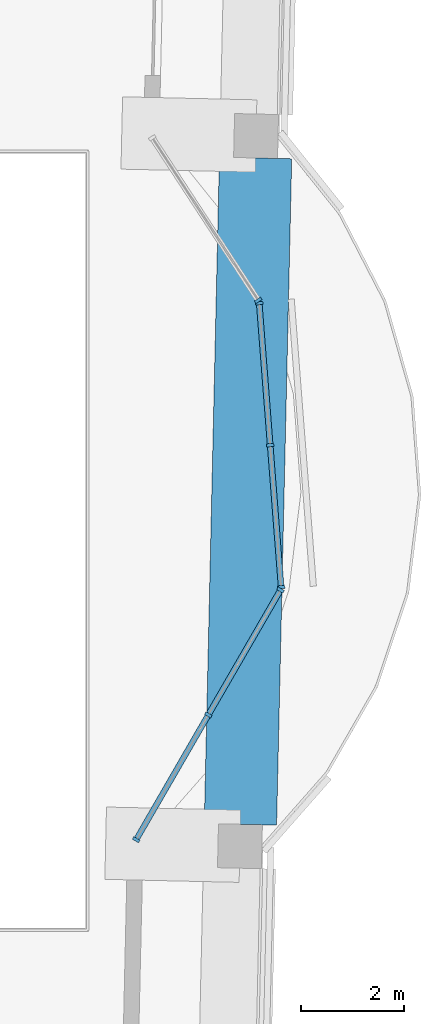
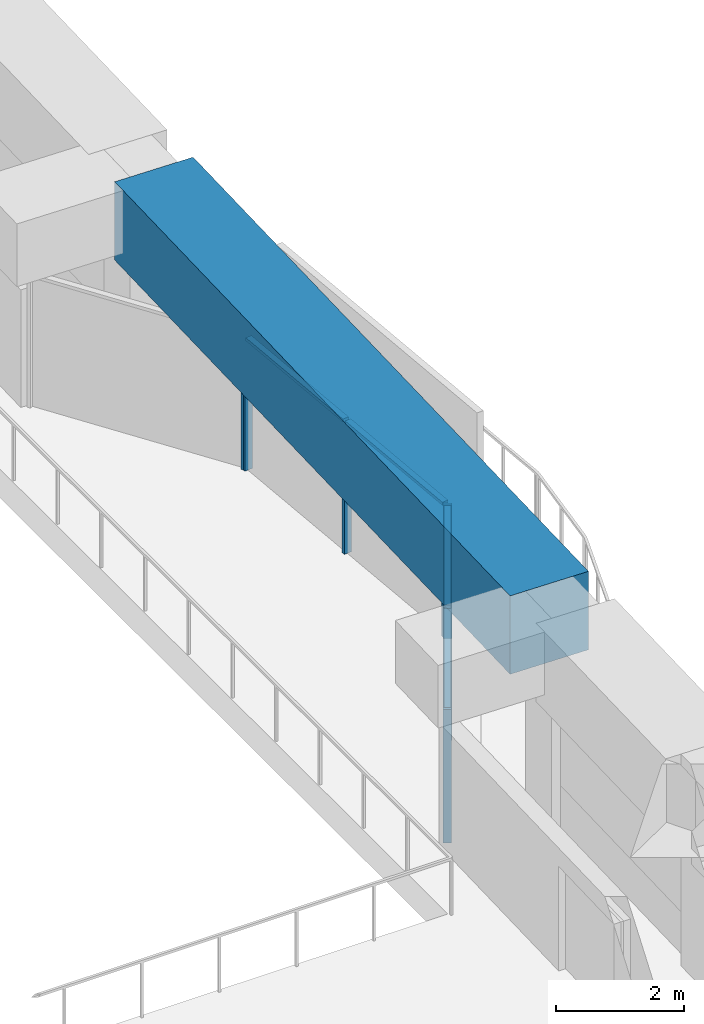
# One storey, part 4 of 21: 11 members, 1 beam, 3 elements without a shape of their own.
"""IFC4 building model written with IfcOpenShell, lengths in metres."""

from ifc_helpers import new_model, si_unit, direction, frame, origin, origin_2d, place, context, subcontext, project, spatial, rectangle, extrude, material, material_profile, profile_set, type_object, element, aggregate, save


model = new_model("IFC4")

# Units and contexts
model_context = context("Model", 3, precision=1e-05, world=origin(), true_north=direction((0.0, 1.0)))
body_context = subcontext(model_context, "Body", "Model", "MODEL_VIEW")
ifc_project = project(units=[si_unit("LENGTHUNIT", "METRE"), si_unit("AREAUNIT", "SQUARE_METRE"), si_unit("VOLUMEUNIT", "CUBIC_METRE"), si_unit("PLANEANGLEUNIT", "RADIAN"), si_unit("MASSUNIT", "GRAM", prefix="KILO")], contexts=[model_context])

# Site, building, storey
site_placement = place(None, origin())
site = spatial("IfcSite", under=ifc_project, at=site_placement, CompositionType="ELEMENT")
building_placement = place(site_placement, origin())
building = spatial("IfcBuilding", under=site, at=building_placement, Name="Mangrove Gate Tower", CompositionType="ELEMENT")
storey_placement = place(building_placement, frame((0.0, 0.0, 329.699951171875)))
storey = spatial("IfcBuildingStorey", under=building, at=storey_placement, Name="L84", CompositionType="ELEMENT", Elevation=329.699951171875)

# Curtain wall, members
ifc_material_1 = material(Name="Aluminium and glass curtain wall", Category="aluminium")
curtain_wall_type = type_object("IfcCurtainWallType", Name="Crown garden glazing wall", PredefinedType="NOTDEFINED", material=ifc_material_1)
curtain_wall_1_placement = place(storey_placement, origin())
curtain_wall_1 = element("IfcCurtainWall", 1, at=curtain_wall_1_placement, inside=storey, type_object=curtain_wall_type, Name="Crown garden glazing E1f1", PredefinedType="NOTDEFINED")
ifc_material_2 = material(Name="Aluminium alloy 6063-T6", Category="aluminium")
ifc_material_profile_1 = material_profile(ifc_material_2, rectangle(XDim=0.06005859375, YDim=0.139892578125, at=origin_2d()))
ifc_profile_set_1 = profile_set([ifc_material_profile_1], Name="Aluminium alloy 6063-T6")
member_type_1 = type_object("IfcMemberType", Name="Crown garden glazing mullion 60x140", PredefinedType="MULLION", material=ifc_profile_set_1)
member_1_placement = place(storey_placement, frame((26.60302734375, -5.7861328125, 0.0), z_axis=(0.0, 0.0, 1.0), x_axis=(0.500418160359, 0.865783844145, 0.0)))
member_1 = element("IfcMember", 2, at=member_1_placement, type_object=member_type_1, Name="CWC mullion 1", PredefinedType="MULLION", context=body_context, shape_type="SweptSolid", body=[
    extrude(rectangle(XDim=0.06005859375, YDim=0.139892578125, at=origin_2d()), origin(), (0.0, 0.0, 1.0), 2.550048828125),
])
member_2_placement = place(storey_placement, frame((27.99951171875, -3.369873046875, 0.0), z_axis=(0.0, 0.0, 1.0), x_axis=(0.500418160359, 0.865783844145, 0.0)))
member_2 = element("IfcMember", 3, at=member_2_placement, type_object=member_type_1, Name="CWC mullion 2", PredefinedType="MULLION", context=body_context, shape_type="SweptSolid", body=[
    extrude(rectangle(XDim=0.06005859375, YDim=0.139892578125, at=origin_2d()), origin(), (0.0, 0.0, 1.0), 2.550048828125),
])
member_3_placement = place(storey_placement, frame((29.396240234375, -0.95361328125, 0.0), z_axis=(0.0, 0.0, 1.0), x_axis=(0.500418160359, 0.865783844145, 0.0)))
member_3 = element("IfcMember", 4, at=member_3_placement, type_object=member_type_1, Name="CWC mullion 3", PredefinedType="MULLION", context=body_context, shape_type="SweptSolid", body=[
    extrude(rectangle(XDim=0.06005859375, YDim=0.139892578125, at=origin_2d()), origin(), (0.0, 0.0, 1.0), 2.550048828125),
])

curtain_wall_2_placement = place(storey_placement, origin())
curtain_wall_2 = element("IfcCurtainWall", 5, at=curtain_wall_2_placement, inside=storey, type_object=curtain_wall_type, Name="Crown garden glazing E1f2", PredefinedType="NOTDEFINED")
member_4_placement = place(storey_placement, frame((29.408935546875, -0.897705078125, 0.0), z_axis=(0.0, 0.0, 1.0), x_axis=(-0.077023348386, 0.997029289341, 0.0)))
member_4 = element("IfcMember", 6, at=member_4_placement, type_object=member_type_1, Name="CWC mullion 1", PredefinedType="MULLION", context=body_context, shape_type="SweptSolid", body=[
    extrude(rectangle(XDim=0.06005859375, YDim=0.139892578125, at=origin_2d()), origin(), (0.0, 0.0, 1.0), 2.550048828125),
])
member_5_placement = place(storey_placement, frame((29.196533203125, 1.850830078125, 0.0), z_axis=(0.0, 0.0, 1.0), x_axis=(-0.077023348386, 0.997029289341, 0.0)))
member_5 = element("IfcMember", 7, at=member_5_placement, type_object=member_type_1, Name="CWC mullion 2", PredefinedType="MULLION", context=body_context, shape_type="SweptSolid", body=[
    extrude(rectangle(XDim=0.06005859375, YDim=0.139892578125, at=origin_2d()), origin(), (0.0, 0.0, 1.0), 2.550048828125),
])
member_6_placement = place(storey_placement, frame((28.984130859375, 4.599365234375, 0.0), z_axis=(0.0, 0.0, 1.0), x_axis=(-0.077023348386, 0.997029289341, 0.0)))
member_6 = element("IfcMember", 8, at=member_6_placement, type_object=member_type_1, Name="CWC mullion 3", PredefinedType="MULLION", context=body_context, shape_type="SweptSolid", body=[
    extrude(rectangle(XDim=0.06005859375, YDim=0.139892578125, at=origin_2d()), origin(), (0.0, 0.0, 1.0), 2.550048828125),
])

# Curtain wall, member
curtain_wall_3_placement = place(storey_placement, origin())
curtain_wall_3 = element("IfcCurtainWall", 9, at=curtain_wall_3_placement, inside=storey, type_object=curtain_wall_type, Name="Crown garden glazing E1f3", PredefinedType="NOTDEFINED")
member_7_placement = place(storey_placement, frame((28.965576171875, 4.654541015625, 0.0), z_axis=(0.0, 0.0, 1.0), x_axis=(-0.546235085045, 0.837631919083, 0.0)))
member_7 = element("IfcMember", 10, at=member_7_placement, type_object=member_type_1, Name="CWC mullion 1", PredefinedType="MULLION", context=body_context, shape_type="SweptSolid", body=[
    extrude(rectangle(XDim=0.06005859375, YDim=0.139892578125, at=origin_2d()), origin(), (0.0, 0.0, 1.0), 2.550048828125),
])
aggregate(curtain_wall_3, [member_7])

# Member
ifc_material_3 = material(Name="Aluminium alloy 6063-T6", Category="aluminium")
ifc_material_profile_2 = material_profile(ifc_material_3, rectangle(XDim=0.06005859375, YDim=0.110107421875, at=origin_2d()))
ifc_profile_set_2 = profile_set([ifc_material_profile_2], Name="Aluminium alloy 6063-T6")
member_type_2 = type_object("IfcMemberType", Name="Crown garden glazing transom 60x110", PredefinedType="USERDEFINED", material=ifc_profile_set_2)
member_8_placement = place(storey_placement, frame((26.617919921875, -5.76025390625, 2.52001953125), z_axis=(0.500426524989, 0.865779009382, 0.0), x_axis=(0.0, 0.0, 1.0)))
member_8 = element("IfcMember", 11, at=member_8_placement, type_object=member_type_2, Name="CWC transom 1.2", ObjectType="TRANSOM", PredefinedType="USERDEFINED", context=body_context, shape_type="SweptSolid", body=[
    extrude(rectangle(XDim=0.06005859375, YDim=0.110107421875, at=origin_2d()), origin(), (0.0, 0.0, 1.0), 2.73095703125),
])

member_9_placement = place(storey_placement, frame((28.0146484375, -3.343994140625, 2.52001953125), z_axis=(0.500359513284, 0.865817739173, 0.0), x_axis=(0.0, 0.0, 1.0)))
member_9 = element("IfcMember", 12, at=member_9_placement, type_object=member_type_2, Name="CWC transom 2.2", ObjectType="TRANSOM", PredefinedType="USERDEFINED", context=body_context, shape_type="SweptSolid", body=[
    extrude(rectangle(XDim=0.06005859375, YDim=0.110107421875, at=origin_2d()), origin(), (0.0, 0.0, 1.0), 2.73095703125),
])

aggregate(curtain_wall_1, [member_1, member_2, member_3, member_8, member_9])

member_10_placement = place(storey_placement, frame((29.406494140625, -0.86767578125, 2.52001953125), z_axis=(-0.076952650158, 0.997034748458, 0.0), x_axis=(0.0, 0.0, 1.0)))
member_10 = element("IfcMember", 13, at=member_10_placement, type_object=member_type_2, Name="CWC transom 1.2", ObjectType="TRANSOM", PredefinedType="USERDEFINED", context=body_context, shape_type="SweptSolid", body=[
    extrude(rectangle(XDim=0.06005859375, YDim=0.110107421875, at=origin_2d()), origin(), (0.0, 0.0, 1.0), 2.69677734375),
])

member_11_placement = place(storey_placement, frame((29.1943359375, 1.880859375, 2.52001953125), z_axis=(-0.077042645639, 0.997027798385, 0.0), x_axis=(0.0, 0.0, 1.0)))
member_11 = element("IfcMember", 14, at=member_11_placement, type_object=member_type_2, Name="CWC transom 2.2", ObjectType="TRANSOM", PredefinedType="USERDEFINED", context=body_context, shape_type="SweptSolid", body=[
    extrude(rectangle(XDim=0.06005859375, YDim=0.110107421875, at=origin_2d()), origin(), (0.0, 0.0, 1.0), 2.69677734375),
])

aggregate(curtain_wall_2, [member_4, member_5, member_6, member_10, member_11])

# Beam
ifc_material_4 = material(Name="Concrete C50/60", Category="concrete")
ifc_material_profile_3 = material_profile(ifc_material_4, rectangle(XDim=1.39990234375, YDim=1.5, at=origin_2d()))
ifc_profile_set_3 = profile_set([ifc_material_profile_3], Name="Concrete C50/60")
beam_type = type_object("IfcBeamType", Name="Transfer girder RC 1400x1500 C50/60", PredefinedType="BEAM", material=ifc_profile_set_3)
beam_placement = place(storey_placement, frame((28.620849609375, -5.487548828125, 3.300048828125), z_axis=(0.022690883298, 0.999742528762, 0.0), x_axis=(-0.999742528762, 0.022690883298, 0.0)))
element("IfcBeam", 15, at=beam_placement, inside=storey, type_object=beam_type, Name="Transfer ring girder L84 17", PredefinedType="BEAM", context=body_context, shape_type="SweptSolid", body=[
    extrude(rectangle(XDim=1.39990234375, YDim=1.5, at=origin_2d()), origin(), (0.0, 0.0, 1.0), 12.900634765625),
])

save(model, "model.ifc")
